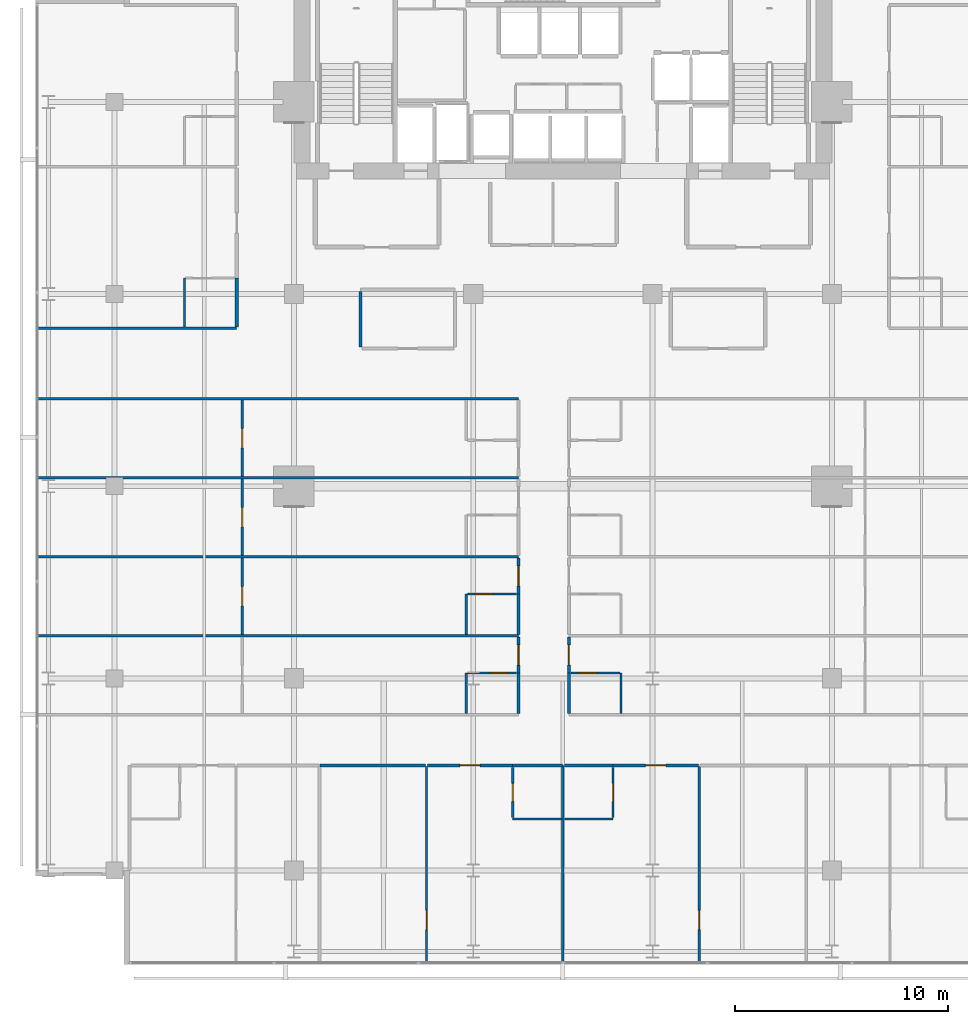
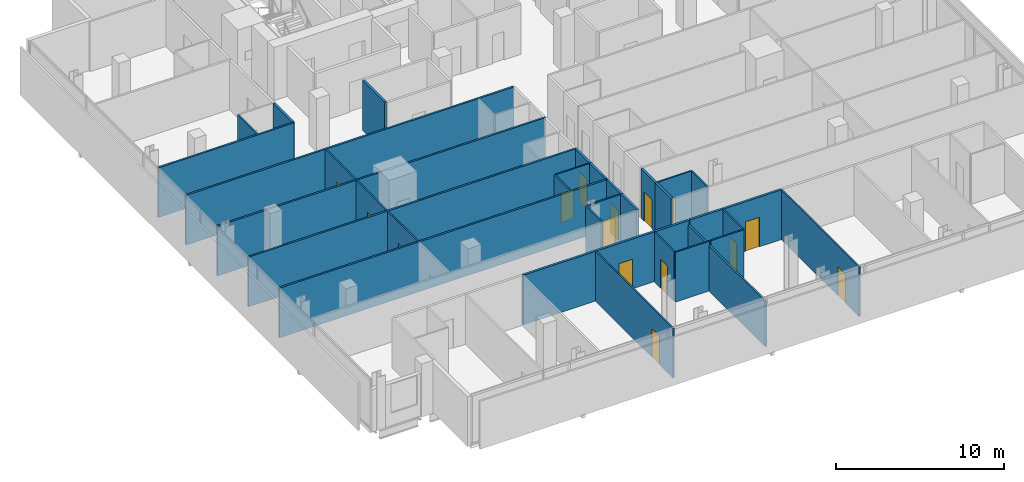
# One storey, part 27 of 34: 35 walls, 15 doors, 15 openings.
"""IFC4 building model written with IfcOpenShell, lengths in metres."""

import ifcopenshell
import ifcopenshell.guid

model = None  # the IFC model being written
_history = None  # IfcOwnerHistory: only IFC2X3 demands one
_inside = {}  # id of a spatial element -> (the spatial element, [elements in it])
_under = {}  # id of a project, library or spatial element -> (it, [spatial elements below it])
_declared = {}  # id of a project -> (the project, [libraries it declares])
_typed = {}  # id of a type object -> (the type object, [elements of that type])
_made_of = {}  # id of a material, layer set ... -> (it, [elements and type objects made of it])


def new_model(schema):
    """Start an empty IFC model of exactly this schema.

    Asked for "IFC4X3", IfcOpenShell would pick the latest addendum, in which some entities
    have other attributes; the version numbers below select the first issue.
    IFC2X3 requires an IfcOwnerHistory on every rooted entity: one is made here for all.
    """
    global model, _history
    if schema == "IFC4X3":
        model = ifcopenshell.file(schema_version=(4, 3, 0, 0))
    else:
        model = ifcopenshell.file(schema=schema)
    _inside.clear()
    _under.clear()
    _declared.clear()
    _typed.clear()
    _made_of.clear()
    _history = None
    if model.schema == "IFC2X3":
        org = make("IfcOrganization", Name="unknown")
        user = make(
            "IfcPersonAndOrganization",
            ThePerson=make("IfcPerson", FamilyName="unknown"),
            TheOrganization=org,
        )
        app = make(
            "IfcApplication",
            ApplicationDeveloper=org,
            Version="unknown",
            ApplicationFullName="unknown",
            ApplicationIdentifier="unknown",
        )
        _history = make(
            "IfcOwnerHistory",
            OwningUser=user,
            OwningApplication=app,
            ChangeAction="ADDED",
            CreationDate=0,
        )
    return model


def make(cls, **values):
    """One entity of the class cls with the attributes given. An attribute that is None is left unset."""
    return model.create_entity(
        cls, **{name: value for name, value in values.items() if value is not None}
    )


def rooted(cls, **values):
    """An entity with a GlobalId (a new one), such as an element, a storey or a relation."""
    return make(cls, GlobalId=ifcopenshell.guid.new(), OwnerHistory=_history, **values)


def si_unit(unit_type, name, prefix=None):
    """IfcSIUnit, for example si_unit("LENGTHUNIT", "METRE", prefix="MILLI")."""
    return make("IfcSIUnit", UnitType=unit_type, Prefix=prefix, Name=name)


def assignment(units):
    """IfcUnitAssignment: the units of a project."""
    return None if units is None else make("IfcUnitAssignment", Units=units)


def point(xyz):
    """IfcCartesianPoint."""
    return None if xyz is None else make("IfcCartesianPoint", Coordinates=xyz)


def direction(xyz):
    """IfcDirection."""
    return None if xyz is None else make("IfcDirection", DirectionRatios=xyz)


def frame(location, z_axis=None, x_axis=None):
    """IfcAxis2Placement3D, a coordinate frame: its origin and axes. An axis left out is left unset."""
    return make(
        "IfcAxis2Placement3D",
        Location=point(location),
        Axis=direction(z_axis),
        RefDirection=direction(x_axis),
    )


def frame_2d(location, x_axis=None):
    """IfcAxis2Placement2D, a coordinate frame in the plane: its origin and x axis."""
    return make(
        "IfcAxis2Placement2D", Location=point(location), RefDirection=direction(x_axis)
    )


def origin():
    """The frame at (0, 0, 0) with its axes left unset."""
    return frame((0.0, 0.0, 0.0))


def place(relative_to, where):
    """IfcLocalPlacement: puts the frame where relative to a parent placement (None: the world)."""
    return make(
        "IfcLocalPlacement", PlacementRelTo=relative_to, RelativePlacement=where
    )


def context(
    kind, dimensions, precision=None, world=None, true_north=None, identifier=None
):
    """IfcGeometricRepresentationContext, for example the 3D "Model" context."""
    return make(
        "IfcGeometricRepresentationContext",
        ContextIdentifier=identifier,
        ContextType=kind,
        CoordinateSpaceDimension=dimensions,
        Precision=precision,
        WorldCoordinateSystem=world,
        TrueNorth=true_north,
    )


def subcontext(parent, identifier, kind, view, scale=None):
    """IfcGeometricRepresentationSubContext, for example "Body" below "Model"."""
    return make(
        "IfcGeometricRepresentationSubContext",
        ContextIdentifier=identifier,
        ContextType=kind,
        ParentContext=parent,
        TargetScale=scale,
        TargetView=view,
    )


def project(units=None, contexts=None):
    """IfcProject with its units and contexts."""
    return rooted(
        "IfcProject",
        Name="project",
        RepresentationContexts=contexts,
        UnitsInContext=assignment(units),
    )


def spatial(cls, under=None, at=None, **own):
    """A site, building, storey or space (cls), placed at a placement, below another one or the project."""
    s = rooted(cls, ObjectPlacement=at, **own)
    if under is not None:
        _under.setdefault(under.id(), (under, []))[1].append(s)
    return s


def profile(cls, at=None, kind="AREA", **sizes):
    """A parametric profile (cls). Its sizes go by their IFC names, for example OverallWidth=200.0."""
    return make(cls, ProfileType=kind, Position=at, **sizes)


def rectangle(**sizes):
    """IfcRectangleProfileDef."""
    return profile("IfcRectangleProfileDef", **sizes)


def extrude(swept, where, along, depth):
    """IfcExtrudedAreaSolid: the profile swept, set in the frame where, extruded along a direction by depth."""
    return make(
        "IfcExtrudedAreaSolid",
        SweptArea=swept,
        Position=where,
        ExtrudedDirection=direction(along),
        Depth=depth,
    )


def shape(context_of_items, identifier, shape_type, items):
    """IfcShapeRepresentation: the items that make up one representation, for example the "Body"."""
    return make(
        "IfcShapeRepresentation",
        ContextOfItems=context_of_items,
        RepresentationIdentifier=identifier,
        RepresentationType=shape_type,
        Items=items,
    )


def material(Name=None, Category=None):
    """IfcMaterial."""
    return make("IfcMaterial", Name=Name, Category=Category)


def layer(
    of_material, thickness, ventilated=None, Name=None, Category=None, Priority=None
):
    """IfcMaterialLayer: one layer of a wall or slab, of a material (None: an air gap)."""
    return make(
        "IfcMaterialLayer",
        Material=of_material,
        LayerThickness=thickness,
        IsVentilated=ventilated,
        Name=Name,
        Category=Category,
        Priority=Priority,
    )


def layer_set(layers, Name=None):
    """IfcMaterialLayerSet."""
    return make("IfcMaterialLayerSet", MaterialLayers=layers, LayerSetName=Name)


def made_of(thing, what):
    """Note that an element or type object is made of a material, layer set ...; save() writes the relation."""
    if what is not None:
        _made_of.setdefault(what.id(), (what, []))[1].append(thing)
    return thing


def type_object(cls, material=None, **own):
    """A type object (cls), such as IfcWallType, which elements share."""
    return made_of(rooted(cls, **own), material)


def element(
    cls,
    number,
    at=None,
    inside=None,
    cuts=None,
    type_object=None,
    material=None,
    context=None,
    identifier="Body",
    shape_type=None,
    held_by="IfcProductDefinitionShape",
    body=None,
    shapes=None,
    **own,
):
    """One element of the class cls, such as IfcWall. Its Tag is "e" and its number.

    at: its placement. inside: the storey or other place that contains it. cuts: it is an
    opening in that element (IfcRelVoidsElement). A single representation is given by context,
    identifier, shape_type and body (its items); several are given by shapes. held_by: the class
    of the entity that holds the representations. save() writes the other relations.
    """
    e = rooted(cls, Tag="e%d" % number, ObjectPlacement=at, **own)
    if body is not None:
        shapes = [shape(context, identifier, shape_type, body)]
    if shapes is not None:
        e.Representation = make(held_by, Representations=shapes)
    if inside is not None:
        _inside.setdefault(inside.id(), (inside, []))[1].append(e)
    if cuts is not None:
        rooted(
            "IfcRelVoidsElement", RelatingBuildingElement=cuts, RelatedOpeningElement=e
        )
    if type_object is not None:
        _typed.setdefault(type_object.id(), (type_object, []))[1].append(e)
    return made_of(e, material)


def fill(opening, filler):
    """IfcRelFillsElement: the door or window that sits in an opening."""
    return rooted(
        "IfcRelFillsElement",
        RelatingOpeningElement=opening,
        RelatedBuildingElement=filler,
    )


def aggregate(whole, parts):
    """IfcRelAggregates: a whole, such as a stair, and the parts it consists of."""
    return rooted("IfcRelAggregates", RelatingObject=whole, RelatedObjects=parts)


def save(model, path):
    """Write the relations noted so far, then the file.

    IfcRelAggregates (storeys below a building ...), IfcRelContainedInSpatialStructure (elements
    in a storey), IfcRelDefinesByType, IfcRelAssociatesMaterial and IfcRelDeclares: one each for
    every whole, place, type object, material and project.
    """
    for whole, parts in _under.values():
        aggregate(whole, parts)
    for where, things in _inside.values():
        rooted(
            "IfcRelContainedInSpatialStructure",
            RelatedElements=things,
            RelatingStructure=where,
        )
    for kind, things in _typed.values():
        rooted("IfcRelDefinesByType", RelatedObjects=things, RelatingType=kind)
    for what, things in _made_of.values():
        rooted("IfcRelAssociatesMaterial", RelatedObjects=things, RelatingMaterial=what)
    for by, libraries in _declared.values():
        rooted("IfcRelDeclares", RelatingContext=by, RelatedDefinitions=libraries)
    model.write(path)


model = new_model("IFC4")

# Units and contexts
model_context = context("Model", 3, precision=1e-05, world=origin(), true_north=direction((0.0, 1.0)))
body_context = subcontext(model_context, "Body", "Model", "MODEL_VIEW")
ifc_project = project(units=[si_unit("LENGTHUNIT", "METRE"), si_unit("AREAUNIT", "SQUARE_METRE"), si_unit("VOLUMEUNIT", "CUBIC_METRE"), si_unit("PLANEANGLEUNIT", "RADIAN"), si_unit("MASSUNIT", "GRAM", prefix="KILO")], contexts=[model_context])

# Site, building, storey
site_placement = place(None, origin())
site = spatial("IfcSite", under=ifc_project, at=site_placement, CompositionType="ELEMENT")
building_placement = place(site_placement, origin())
building = spatial("IfcBuilding", under=site, at=building_placement, Name="Maruvema Waterfront Hotel and Observation Tower", CompositionType="ELEMENT")
storey_placement = place(building_placement, frame((0.0, 0.0, 192.85009765625)))
storey = spatial("IfcBuildingStorey", under=building, at=storey_placement, Name="L47", CompositionType="ELEMENT", Elevation=192.85009765625)

# Walls
ifc_material_1 = material(Name="Twin-stud acoustic gypsum drywall", Category="gypsum")
ifc_layer_1 = layer(ifc_material_1, 0.14990234375, Name="Acoustic Corridor and Suite Demising Wall 150 mm")
ifc_layer_set_1 = layer_set([ifc_layer_1], Name="Twin-stud acoustic gypsum drywall")
wall_type_1 = type_object("IfcWallType", Name="Acoustic Corridor and Suite Demising Wall 150 mm", PredefinedType="PARTITIONING", material=ifc_layer_set_1)
wall_1_placement = place(storey_placement, frame((28.320068359375, 33.530029296875, 0.0), z_axis=(0.0, 0.0, 1.0), x_axis=(0.0, 1.0, 0.0)))
element("IfcWall", 1, at=wall_1_placement, inside=storey, type_object=wall_type_1, Name="L47 L47-M1 West Wall 028", PredefinedType="PARTITIONING", context=body_context, shape_type="SweptSolid", body=[
    extrude(rectangle(XDim=2.590087890625, YDim=0.14990234375, at=frame_2d((1.294921875, 0.0))), origin(), (0.0, 0.0, 1.0), 3.60986328125),
])
wall_2_placement = place(storey_placement, frame((35.449951171875, 13.919921875, 0.0), z_axis=(0.0, 0.0, 1.0), x_axis=(1.0, 0.0, 0.0)))
element("IfcWall", 2, at=wall_2_placement, inside=storey, type_object=wall_type_1, Name="L47 Bath L47-S2 Back Wall 044", PredefinedType="PARTITIONING", context=body_context, shape_type="SweptSolid", body=[
    extrude(rectangle(XDim=2.330078125, YDim=0.14990234375, at=frame_2d((1.1650390625, 0.0))), origin(), (0.0, 0.0, 1.0), 3.60986328125),
])
wall_3_placement = place(storey_placement, frame((26.419921875, 13.919921875, 0.0), z_axis=(0.0, 0.0, 1.0), x_axis=(1.0, 0.0, 0.0)))
element("IfcWall", 3, at=wall_3_placement, inside=storey, type_object=wall_type_1, Name="L47 Bedroom L47-S2 Back Wall 047", PredefinedType="PARTITIONING", context=body_context, shape_type="SweptSolid", body=[
    extrude(rectangle(XDim=4.9560546875, YDim=0.14990234375, at=frame_2d((2.47802734375, 0.0))), origin(), (0.0, 0.0, 1.0), 3.60986328125),
])

# Wall, opening, door
wall_4_placement = place(storey_placement, frame((31.4560546875, 13.919921875, 0.0), z_axis=(0.0, 0.0, 1.0), x_axis=(1.0, 0.0, 0.0)))
wall_4 = element("IfcWall", 4, at=wall_4_placement, inside=storey, type_object=wall_type_1, Name="L47 Unit L47-S2 Corridor Wall 048", PredefinedType="PARTITIONING", context=body_context, shape_type="SweptSolid", body=[
    extrude(rectangle(XDim=3.993896484375, YDim=0.14990234375, at=frame_2d((1.9970703125, 0.0))), origin(), (0.0, 0.0, 1.0), 3.60986328125),
])
opening_1_placement = place(wall_4_placement, frame((1.52197265625, 0.0, 0.0)))
opening_1 = element("IfcOpeningElement", 5, at=opening_1_placement, cuts=wall_4, Name="Opening DR-095", PredefinedType="OPENING", context=body_context, shape_type="SweptSolid", body=[
    extrude(rectangle(XDim=0.949951171875, YDim=2.14990234375, at=frame_2d((0.47509765625, 1.074951171875))), frame((0.0, 0.0849609375, 0.0), z_axis=(0.0, -1.0, 0.0), x_axis=(1.0, 0.0, 0.0)), (0.0, 0.0, 1.0), 0.169921875),
])
ifc_material_2 = material(Name="Acoustic solid-core hardwood timber leaf", Category="wood")
door_type_1 = type_object("IfcDoorType", Name="Guestroom Entrance Fire Door 950x2150 mm", OperationType="NOTDEFINED", PredefinedType="DOOR", material=ifc_material_2)
door_1_placement = place(opening_1_placement, frame((0.949951171875, 0.0, 0.0), z_axis=(0.0, 0.0, 1.0), x_axis=(-1.0, 0.0, 0.0)))
door_1 = element("IfcDoor", 6, at=door_1_placement, inside=storey, type_object=door_type_1, Name="L47 Unit L47-S2 Entrance Door", OperationType="SINGLE_SWING_LEFT", OverallHeight=2.14990234375, OverallWidth=0.949951171875, PredefinedType="DOOR", context=body_context, shape_type="SweptSolid", body=[
    extrude(rectangle(XDim=0.949951171875, YDim=2.14990234375, at=frame_2d((0.47509765625, 1.074951171875))), frame((0.0, 0.02490234375, 0.0), z_axis=(0.0, -1.0, 0.0), x_axis=(1.0, 0.0, 0.0)), (0.0, 0.0, 1.0), 0.050048828125),
])
fill(opening_1, door_1)

# Wall
wall_5_placement = place(storey_placement, frame((37.8798828125, 13.919921875, 0.0), z_axis=(0.0, 0.0, 1.0), x_axis=(1.0, 0.0, 0.0)))
element("IfcWall", 7, at=wall_5_placement, inside=storey, type_object=wall_type_1, Name="L47 Bath L47-S3 Back Wall 051", PredefinedType="PARTITIONING", context=body_context, shape_type="SweptSolid", body=[
    extrude(rectangle(XDim=2.27001953125, YDim=0.14990234375, at=frame_2d((1.135009765625, 0.0))), origin(), (0.0, 0.0, 1.0), 3.60986328125),
])

# Wall, opening, door
wall_6_placement = place(storey_placement, frame((40.14990234375, 13.919921875, 0.0), z_axis=(0.0, 0.0, 1.0), x_axis=(1.0, 0.0, 0.0)))
wall_6 = element("IfcWall", 8, at=wall_6_placement, inside=storey, type_object=wall_type_1, Name="L47 Unit L47-S3 Corridor Wall 054", PredefinedType="PARTITIONING", context=body_context, shape_type="SweptSolid", body=[
    extrude(rectangle(XDim=3.994140625, YDim=0.14990234375, at=frame_2d((1.9970703125, 0.0))), origin(), (0.0, 0.0, 1.0), 3.60986328125),
])
opening_2_placement = place(wall_6_placement, frame((1.52197265625, 0.0, 0.0)))
opening_2 = element("IfcOpeningElement", 9, at=opening_2_placement, cuts=wall_6, Name="Opening DR-095", PredefinedType="OPENING", context=body_context, shape_type="SweptSolid", body=[
    extrude(rectangle(XDim=0.949951171875, YDim=2.14990234375, at=frame_2d((0.47509765625, 1.074951171875))), frame((0.0, 0.0849609375, 0.0), z_axis=(0.0, -1.0, 0.0), x_axis=(1.0, 0.0, 0.0)), (0.0, 0.0, 1.0), 0.169921875),
])
door_2_placement = place(opening_2_placement, frame((0.949951171875, 0.0, 0.0), z_axis=(0.0, 0.0, 1.0), x_axis=(-1.0, 0.0, 0.0)))
door_2 = element("IfcDoor", 10, at=door_2_placement, inside=storey, type_object=door_type_1, Name="L47 Unit L47-S3 Entrance Door", OperationType="SINGLE_SWING_RIGHT", OverallHeight=2.14990234375, OverallWidth=0.949951171875, PredefinedType="DOOR", context=body_context, shape_type="SweptSolid", body=[
    extrude(rectangle(XDim=0.949951171875, YDim=2.14990234375, at=frame_2d((0.47509765625, 1.074951171875))), frame((0.0, 0.02490234375, 0.0), z_axis=(0.0, -1.0, 0.0), x_axis=(1.0, 0.0, 0.0)), (0.0, 0.0, 1.0), 0.050048828125),
])
fill(opening_2, door_2)

# Wall
wall_7_placement = place(storey_placement, frame((35.719970703125, 16.360107421875, 0.0), z_axis=(0.0, 0.0, 1.0), x_axis=(0.0, 1.0, 0.0)))
element("IfcWall", 11, at=wall_7_placement, inside=storey, type_object=wall_type_1, Name="L47 Bath L47-W1 Wall 068", PredefinedType="PARTITIONING", context=body_context, shape_type="SweptSolid", body=[
    extrude(rectangle(XDim=1.889892578125, YDim=0.14990234375, at=frame_2d((0.94482421875, 0.0))), origin(), (0.0, 0.0, 1.0), 3.60986328125),
])

# Wall, opening, door
wall_8_placement = place(storey_placement, frame((35.719970703125, 18.25, 0.0), z_axis=(0.0, 0.0, 1.0), x_axis=(0.0, 1.0, 0.0)))
wall_8 = element("IfcWall", 12, at=wall_8_placement, inside=storey, type_object=wall_type_1, Name="L47 Room L47-W1 Corridor Wall 069", PredefinedType="PARTITIONING", context=body_context, shape_type="SweptSolid", body=[
    extrude(rectangle(XDim=1.68994140625, YDim=0.14990234375, at=frame_2d((0.844970703125, 0.0))), origin(), (0.0, 0.0, 1.0), 3.60986328125),
])
opening_3_placement = place(wall_8_placement, frame((0.3701171875, 0.0, 0.0)))
opening_3 = element("IfcOpeningElement", 13, at=opening_3_placement, cuts=wall_8, Name="Opening DR-095", PredefinedType="OPENING", context=body_context, shape_type="SweptSolid", body=[
    extrude(rectangle(XDim=0.949951171875, YDim=2.14990234375, at=frame_2d((0.47509765625, 1.074951171875))), frame((0.0, 0.0849609375, 0.0), z_axis=(0.0, -1.0, 0.0), x_axis=(1.0, 0.0, 0.0)), (0.0, 0.0, 1.0), 0.169921875),
])
door_3_placement = place(opening_3_placement, origin())
door_3 = element("IfcDoor", 14, at=door_3_placement, inside=storey, type_object=door_type_1, Name="L47 Room L47-W1 Entrance Door", OperationType="SINGLE_SWING_RIGHT", OverallHeight=2.14990234375, OverallWidth=0.949951171875, PredefinedType="DOOR", context=body_context, shape_type="SweptSolid", body=[
    extrude(rectangle(XDim=0.949951171875, YDim=2.14990234375, at=frame_2d((0.47509765625, 1.074951171875))), frame((0.0, 0.02490234375, 0.0), z_axis=(0.0, -1.0, 0.0), x_axis=(1.0, 0.0, 0.0)), (0.0, 0.0, 1.0), 0.050048828125),
])
fill(opening_3, door_3)

# Wall
wall_9_placement = place(storey_placement, frame((38.080078125, 16.360107421875, 0.0), z_axis=(0.0, 0.0, 1.0), x_axis=(0.0, 1.0, 0.0)))
element("IfcWall", 15, at=wall_9_placement, inside=storey, type_object=wall_type_1, Name="L47 Bath L47-E1 Wall 073", PredefinedType="PARTITIONING", context=body_context, shape_type="SweptSolid", body=[
    extrude(rectangle(XDim=1.889892578125, YDim=0.14990234375, at=frame_2d((0.94482421875, 0.0))), origin(), (0.0, 0.0, 1.0), 3.60986328125),
])

# Wall, opening, door
wall_10_placement = place(storey_placement, frame((38.080078125, 18.25, 0.0), z_axis=(0.0, 0.0, 1.0), x_axis=(0.0, 1.0, 0.0)))
wall_10 = element("IfcWall", 16, at=wall_10_placement, inside=storey, type_object=wall_type_1, Name="L47 Room L47-E1 Corridor Wall 074", PredefinedType="PARTITIONING", context=body_context, shape_type="SweptSolid", body=[
    extrude(rectangle(XDim=1.68994140625, YDim=0.14990234375, at=frame_2d((0.844970703125, 0.0))), origin(), (0.0, 0.0, 1.0), 3.60986328125),
])
opening_4_placement = place(wall_10_placement, frame((0.3701171875, 0.0, 0.0)))
opening_4 = element("IfcOpeningElement", 17, at=opening_4_placement, cuts=wall_10, Name="Opening DR-095", PredefinedType="OPENING", context=body_context, shape_type="SweptSolid", body=[
    extrude(rectangle(XDim=0.949951171875, YDim=2.14990234375, at=frame_2d((0.47509765625, 1.074951171875))), frame((0.0, 0.0849609375, 0.0), z_axis=(0.0, -1.0, 0.0), x_axis=(1.0, 0.0, 0.0)), (0.0, 0.0, 1.0), 0.169921875),
])
door_4_placement = place(opening_4_placement, frame((0.949951171875, 0.0, 0.0), z_axis=(0.0, 0.0, 1.0), x_axis=(-1.0, 0.0, 0.0)))
door_4 = element("IfcDoor", 18, at=door_4_placement, inside=storey, type_object=door_type_1, Name="L47 Room L47-E1 Entrance Door", OperationType="SINGLE_SWING_LEFT", OverallHeight=2.14990234375, OverallWidth=0.949951171875, PredefinedType="DOOR", context=body_context, shape_type="SweptSolid", body=[
    extrude(rectangle(XDim=0.949951171875, YDim=2.14990234375, at=frame_2d((0.47509765625, 1.074951171875))), frame((0.0, 0.02490234375, 0.0), z_axis=(0.0, -1.0, 0.0), x_axis=(1.0, 0.0, 0.0)), (0.0, 0.0, 1.0), 0.050048828125),
])
fill(opening_4, door_4)

# Wall
wall_11_placement = place(storey_placement, frame((35.719970703125, 20.06005859375, 0.0), z_axis=(0.0, 0.0, 1.0), x_axis=(0.0, 1.0, 0.0)))
element("IfcWall", 19, at=wall_11_placement, inside=storey, type_object=wall_type_1, Name="L47 Bath L47-W2 Wall 080", PredefinedType="PARTITIONING", context=body_context, shape_type="SweptSolid", body=[
    extrude(rectangle(XDim=1.889892578125, YDim=0.14990234375, at=frame_2d((0.94482421875, 0.0))), origin(), (0.0, 0.0, 1.0), 3.60986328125),
])

# Wall, opening, door
wall_12_placement = place(storey_placement, frame((35.719970703125, 21.949951171875, 0.0), z_axis=(0.0, 0.0, 1.0), x_axis=(0.0, 1.0, 0.0)))
wall_12 = element("IfcWall", 20, at=wall_12_placement, inside=storey, type_object=wall_type_1, Name="L47 Room L47-W2 Corridor Wall 081", PredefinedType="PARTITIONING", context=body_context, shape_type="SweptSolid", body=[
    extrude(rectangle(XDim=1.68994140625, YDim=0.14990234375, at=frame_2d((0.844970703125, 0.0))), origin(), (0.0, 0.0, 1.0), 3.60986328125),
])
opening_5_placement = place(wall_12_placement, frame((0.3701171875, 0.0, 0.0)))
opening_5 = element("IfcOpeningElement", 21, at=opening_5_placement, cuts=wall_12, Name="Opening DR-095", PredefinedType="OPENING", context=body_context, shape_type="SweptSolid", body=[
    extrude(rectangle(XDim=0.949951171875, YDim=2.14990234375, at=frame_2d((0.47509765625, 1.074951171875))), frame((0.0, 0.0849609375, 0.0), z_axis=(0.0, -1.0, 0.0), x_axis=(1.0, 0.0, 0.0)), (0.0, 0.0, 1.0), 0.169921875),
])
door_5_placement = place(opening_5_placement, origin())
door_5 = element("IfcDoor", 22, at=door_5_placement, inside=storey, type_object=door_type_1, Name="L47 Room L47-W2 Entrance Door", OperationType="SINGLE_SWING_RIGHT", OverallHeight=2.14990234375, OverallWidth=0.949951171875, PredefinedType="DOOR", context=body_context, shape_type="SweptSolid", body=[
    extrude(rectangle(XDim=0.949951171875, YDim=2.14990234375, at=frame_2d((0.47509765625, 1.074951171875))), frame((0.0, 0.02490234375, 0.0), z_axis=(0.0, -1.0, 0.0), x_axis=(1.0, 0.0, 0.0)), (0.0, 0.0, 1.0), 0.050048828125),
])
fill(opening_5, door_5)

# Walls
wall_13_placement = place(storey_placement, frame((22.52001953125, 34.4599609375, 0.0), z_axis=(0.0, 0.0, 1.0), x_axis=(0.0, 1.0, 0.0)))
element("IfcWall", 23, at=wall_13_placement, inside=storey, type_object=wall_type_1, Name="L47 Bath L47-NW1 Wall 118", PredefinedType="PARTITIONING", context=body_context, shape_type="SweptSolid", body=[
    extrude(rectangle(XDim=2.2900390625, YDim=0.14990234375, at=frame_2d((1.14501953125, 0.0))), origin(), (0.0, 0.0, 1.0), 3.60986328125),
])
ifc_material_3 = material(Name="Moisture-resistant cement-board drywall", Category="gypsum")
ifc_layer_2 = layer(ifc_material_3, 0.10009765625, Name="En-Suite Moisture-Resistant Partition 100 mm")
ifc_layer_set_2 = layer_set([ifc_layer_2], Name="Moisture-resistant cement-board drywall")
wall_type_2 = type_object("IfcWallType", Name="En-Suite Moisture-Resistant Partition 100 mm", PredefinedType="PARTITIONING", material=ifc_layer_set_2)
wall_14_placement = place(storey_placement, frame((35.449951171875, 11.419921875, 0.0), z_axis=(0.0, 0.0, 1.0), x_axis=(1.0, 0.0, 0.0)))
element("IfcWall", 24, at=wall_14_placement, inside=storey, type_object=wall_type_2, Name="L47 En-Suite L47-S2 South 045", PredefinedType="PARTITIONING", context=body_context, shape_type="SweptSolid", body=[
    extrude(rectangle(XDim=2.31005859375, YDim=0.10009765625, at=frame_2d((1.155029296875, 0.0))), origin(), (0.0, 0.0, 1.0), 3.60986328125),
])

# Wall, opening, door
wall_15_placement = place(storey_placement, frame((35.449951171875, 11.47998046875, 0.0), z_axis=(0.0, 0.0, 1.0), x_axis=(0.0, 1.0, 0.0)))
wall_15 = element("IfcWall", 25, at=wall_15_placement, inside=storey, type_object=wall_type_2, Name="L47 En-Suite L47-S2 West 046", PredefinedType="PARTITIONING", context=body_context, shape_type="SweptSolid", body=[
    extrude(rectangle(XDim=2.340087890625, YDim=0.10009765625, at=frame_2d((1.169921875, 0.0))), origin(), (0.0, 0.0, 1.0), 3.60986328125),
])
opening_6_placement = place(wall_15_placement, frame((0.7451171875, 0.0, 0.0)))
opening_6 = element("IfcOpeningElement", 26, at=opening_6_placement, cuts=wall_15, Name="Opening DR-085", PredefinedType="OPENING", context=body_context, shape_type="SweptSolid", body=[
    extrude(rectangle(XDim=0.85009765625, YDim=2.10009765625, at=frame_2d((0.425048828125, 1.050048828125))), frame((0.0, 0.06005859375, 0.0), z_axis=(0.0, -1.0, 0.0), x_axis=(1.0, 0.0, 0.0)), (0.0, 0.0, 1.0), 0.1201171875),
])
ifc_material_4 = material(Name="Moisture-resistant solid timber leaf", Category="wood")
door_type_2 = type_object("IfcDoorType", Name="En-Suite Bathroom Door 850x2100 mm", OperationType="NOTDEFINED", PredefinedType="DOOR", material=ifc_material_4)
door_6_placement = place(opening_6_placement, origin())
door_6 = element("IfcDoor", 27, at=door_6_placement, inside=storey, type_object=door_type_2, Name="L47 En-Suite L47-S2 Door", OperationType="SINGLE_SWING_RIGHT", OverallHeight=2.10009765625, OverallWidth=0.85009765625, PredefinedType="DOOR", context=body_context, shape_type="SweptSolid", body=[
    extrude(rectangle(XDim=0.85009765625, YDim=2.10009765625, at=frame_2d((0.425048828125, 1.050048828125))), frame((0.0, 0.02490234375, 0.0), z_axis=(0.0, -1.0, 0.0), x_axis=(1.0, 0.0, 0.0)), (0.0, 0.0, 1.0), 0.050048828125),
])
fill(opening_6, door_6)

wall_16_placement = place(storey_placement, frame((31.416015625, 4.6298828125, 0.0), z_axis=(0.0, 0.0, 1.0), x_axis=(0.0, 1.0, 0.0)))
wall_16 = element("IfcWall", 28, at=wall_16_placement, inside=storey, type_object=wall_type_2, Name="L47 Suite L47-S2 Split 049", PredefinedType="PARTITIONING", context=body_context, shape_type="SweptSolid", body=[
    extrude(rectangle(XDim=9.230224609375, YDim=0.10009765625, at=frame_2d((4.615234375, 0.0))), origin(), (0.0, 0.0, 1.0), 3.60986328125),
])
opening_7_placement = place(wall_16_placement, frame((1.60009765625, 0.0, 0.0)))
opening_7 = element("IfcOpeningElement", 29, at=opening_7_placement, cuts=wall_16, Name="Opening DR-090", PredefinedType="OPENING", context=body_context, shape_type="SweptSolid", body=[
    extrude(rectangle(XDim=0.89990234375, YDim=2.10009765625, at=frame_2d((0.449951171875, 1.050048828125))), frame((0.0, 0.06005859375, 0.0), z_axis=(0.0, -1.0, 0.0), x_axis=(1.0, 0.0, 0.0)), (0.0, 0.0, 1.0), 0.1201171875),
])
ifc_material_5 = material(Name="Solid-core lacquered timber leaf", Category="wood")
door_type_3 = type_object("IfcDoorType", Name="Accessible Toilet and Room Door 900x2100 mm", OperationType="NOTDEFINED", PredefinedType="DOOR", material=ifc_material_5)
door_7_placement = place(opening_7_placement, frame((0.89990234375, 0.0, 0.0), z_axis=(0.0, 0.0, 1.0), x_axis=(-1.0, 0.0, 0.0)))
door_7 = element("IfcDoor", 30, at=door_7_placement, inside=storey, type_object=door_type_3, Name="L47 Suite L47-S2 Bedroom Door", OperationType="SINGLE_SWING_RIGHT", OverallHeight=2.10009765625, OverallWidth=0.89990234375, PredefinedType="DOOR", context=body_context, shape_type="SweptSolid", body=[
    extrude(rectangle(XDim=0.89990234375, YDim=2.10009765625, at=frame_2d((0.449951171875, 1.050048828125))), frame((0.0, 0.02490234375, 0.0), z_axis=(0.0, -1.0, 0.0), x_axis=(1.0, 0.0, 0.0)), (0.0, 0.0, 1.0), 0.050048828125),
])
fill(opening_7, door_7)

# Wall
wall_17_placement = place(storey_placement, frame((37.8798828125, 11.419921875, 0.0), z_axis=(0.0, 0.0, 1.0), x_axis=(1.0, 0.0, 0.0)))
element("IfcWall", 31, at=wall_17_placement, inside=storey, type_object=wall_type_2, Name="L47 En-Suite L47-S3 South 052", PredefinedType="PARTITIONING", context=body_context, shape_type="SweptSolid", body=[
    extrude(rectangle(XDim=2.27001953125, YDim=0.10009765625, at=frame_2d((1.135009765625, 0.0))), origin(), (0.0, 0.0, 1.0), 3.60986328125),
])

# Wall, opening, door
wall_18_placement = place(storey_placement, frame((40.14990234375, 11.47998046875, 0.0), z_axis=(0.0, 0.0, 1.0), x_axis=(0.0, 1.0, 0.0)))
wall_18 = element("IfcWall", 32, at=wall_18_placement, inside=storey, type_object=wall_type_2, Name="L47 En-Suite L47-S3 East 053", PredefinedType="PARTITIONING", context=body_context, shape_type="SweptSolid", body=[
    extrude(rectangle(XDim=2.340087890625, YDim=0.10009765625, at=frame_2d((1.169921875, 0.0))), origin(), (0.0, 0.0, 1.0), 3.60986328125),
])
opening_8_placement = place(wall_18_placement, frame((0.7451171875, 0.0, 0.0)))
opening_8 = element("IfcOpeningElement", 33, at=opening_8_placement, cuts=wall_18, Name="Opening DR-085", PredefinedType="OPENING", context=body_context, shape_type="SweptSolid", body=[
    extrude(rectangle(XDim=0.85009765625, YDim=2.10009765625, at=frame_2d((0.425048828125, 1.050048828125))), frame((0.0, 0.06005859375, 0.0), z_axis=(0.0, -1.0, 0.0), x_axis=(1.0, 0.0, 0.0)), (0.0, 0.0, 1.0), 0.1201171875),
])
door_8_placement = place(opening_8_placement, frame((0.85009765625, 0.0, 0.0), z_axis=(0.0, 0.0, 1.0), x_axis=(-1.0, 0.0, 0.0)))
door_8 = element("IfcDoor", 34, at=door_8_placement, inside=storey, type_object=door_type_2, Name="L47 En-Suite L47-S3 Door", OperationType="SINGLE_SWING_LEFT", OverallHeight=2.10009765625, OverallWidth=0.85009765625, PredefinedType="DOOR", context=body_context, shape_type="SweptSolid", body=[
    extrude(rectangle(XDim=0.85009765625, YDim=2.10009765625, at=frame_2d((0.425048828125, 1.050048828125))), frame((0.0, 0.02490234375, 0.0), z_axis=(0.0, -1.0, 0.0), x_axis=(1.0, 0.0, 0.0)), (0.0, 0.0, 1.0), 0.050048828125),
])
fill(opening_8, door_8)

wall_19_placement = place(storey_placement, frame((44.18408203125, 4.6298828125, 0.0), z_axis=(0.0, 0.0, 1.0), x_axis=(0.0, 1.0, 0.0)))
wall_19 = element("IfcWall", 35, at=wall_19_placement, inside=storey, type_object=wall_type_2, Name="L47 Suite L47-S3 Split 056", PredefinedType="PARTITIONING", context=body_context, shape_type="SweptSolid", body=[
    extrude(rectangle(XDim=9.230224609375, YDim=0.10009765625, at=frame_2d((4.615234375, 0.0))), origin(), (0.0, 0.0, 1.0), 3.60986328125),
])
opening_9_placement = place(wall_19_placement, frame((1.60009765625, 0.0, 0.0)))
opening_9 = element("IfcOpeningElement", 36, at=opening_9_placement, cuts=wall_19, Name="Opening DR-090", PredefinedType="OPENING", context=body_context, shape_type="SweptSolid", body=[
    extrude(rectangle(XDim=0.89990234375, YDim=2.10009765625, at=frame_2d((0.449951171875, 1.050048828125))), frame((0.0, 0.06005859375, 0.0), z_axis=(0.0, -1.0, 0.0), x_axis=(1.0, 0.0, 0.0)), (0.0, 0.0, 1.0), 0.1201171875),
])
door_9_placement = place(opening_9_placement, origin())
door_9 = element("IfcDoor", 37, at=door_9_placement, inside=storey, type_object=door_type_3, Name="L47 Suite L47-S3 Bedroom Door", OperationType="SINGLE_SWING_LEFT", OverallHeight=2.10009765625, OverallWidth=0.89990234375, PredefinedType="DOOR", context=body_context, shape_type="SweptSolid", body=[
    extrude(rectangle(XDim=0.89990234375, YDim=2.10009765625, at=frame_2d((0.449951171875, 1.050048828125))), frame((0.0, 0.02490234375, 0.0), z_axis=(0.0, -1.0, 0.0), x_axis=(1.0, 0.0, 0.0)), (0.0, 0.0, 1.0), 0.050048828125),
])
fill(opening_9, door_9)

# Wall
wall_20_placement = place(storey_placement, frame((33.27001953125, 16.360107421875, 0.0), z_axis=(0.0, 0.0, 1.0), x_axis=(0.0, 1.0, 0.0)))
element("IfcWall", 38, at=wall_20_placement, inside=storey, type_object=wall_type_2, Name="L47 En-Suite L47-W1 W 070", PredefinedType="PARTITIONING", context=body_context, shape_type="SweptSolid", body=[
    extrude(rectangle(XDim=1.889892578125, YDim=0.10009765625, at=frame_2d((0.94482421875, 0.0))), origin(), (0.0, 0.0, 1.0), 3.60986328125),
])

# Wall, opening, door
wall_21_placement = place(storey_placement, frame((33.320068359375, 18.25, 0.0), z_axis=(0.0, 0.0, 1.0), x_axis=(1.0, 0.0, 0.0)))
wall_21 = element("IfcWall", 39, at=wall_21_placement, inside=storey, type_object=wall_type_2, Name="L47 En-Suite L47-W1 N 071", PredefinedType="PARTITIONING", context=body_context, shape_type="SweptSolid", body=[
    extrude(rectangle(XDim=2.300048828125, YDim=0.10009765625, at=frame_2d((1.14990234375, 0.0))), origin(), (0.0, 0.0, 1.0), 3.60986328125),
])
opening_10_placement = place(wall_21_placement, frame((1.070068359375, 0.0, 0.0)))
opening_10 = element("IfcOpeningElement", 40, at=opening_10_placement, cuts=wall_21, Name="Opening DR-085", PredefinedType="OPENING", context=body_context, shape_type="SweptSolid", body=[
    extrude(rectangle(XDim=0.85009765625, YDim=2.10009765625, at=frame_2d((0.425048828125, 1.050048828125))), frame((0.0, 0.06005859375, 0.0), z_axis=(0.0, -1.0, 0.0), x_axis=(1.0, 0.0, 0.0)), (0.0, 0.0, 1.0), 0.1201171875),
])
door_10_placement = place(opening_10_placement, origin())
door_10 = element("IfcDoor", 41, at=door_10_placement, inside=storey, type_object=door_type_2, Name="L47 En-Suite L47-W1 Door", OperationType="SINGLE_SWING_LEFT", OverallHeight=2.10009765625, OverallWidth=0.85009765625, PredefinedType="DOOR", context=body_context, shape_type="SweptSolid", body=[
    extrude(rectangle(XDim=0.85009765625, YDim=2.10009765625, at=frame_2d((0.425048828125, 1.050048828125))), frame((0.0, 0.02490234375, 0.0), z_axis=(0.0, -1.0, 0.0), x_axis=(1.0, 0.0, 0.0)), (0.0, 0.0, 1.0), 0.050048828125),
])
fill(opening_10, door_10)

# Wall
wall_22_placement = place(storey_placement, frame((40.530029296875, 16.360107421875, 0.0), z_axis=(0.0, 0.0, 1.0), x_axis=(0.0, 1.0, 0.0)))
element("IfcWall", 42, at=wall_22_placement, inside=storey, type_object=wall_type_2, Name="L47 En-Suite L47-E1 E 075", PredefinedType="PARTITIONING", context=body_context, shape_type="SweptSolid", body=[
    extrude(rectangle(XDim=1.889892578125, YDim=0.10009765625, at=frame_2d((0.94482421875, 0.0))), origin(), (0.0, 0.0, 1.0), 3.60986328125),
])

# Wall, opening, door
wall_23_placement = place(storey_placement, frame((38.179931640625, 18.25, 0.0), z_axis=(0.0, 0.0, 1.0), x_axis=(1.0, 0.0, 0.0)))
wall_23 = element("IfcWall", 43, at=wall_23_placement, inside=storey, type_object=wall_type_2, Name="L47 En-Suite L47-E1 N 076", PredefinedType="PARTITIONING", context=body_context, shape_type="SweptSolid", body=[
    extrude(rectangle(XDim=2.300048828125, YDim=0.10009765625, at=frame_2d((1.14990234375, 0.0))), origin(), (0.0, 0.0, 1.0), 3.60986328125),
])
opening_11_placement = place(wall_23_placement, frame((0.35009765625, 0.0, 0.0)))
opening_11 = element("IfcOpeningElement", 44, at=opening_11_placement, cuts=wall_23, Name="Opening DR-085", PredefinedType="OPENING", context=body_context, shape_type="SweptSolid", body=[
    extrude(rectangle(XDim=0.85009765625, YDim=2.10009765625, at=frame_2d((0.425048828125, 1.050048828125))), frame((0.0, 0.06005859375, 0.0), z_axis=(0.0, -1.0, 0.0), x_axis=(1.0, 0.0, 0.0)), (0.0, 0.0, 1.0), 0.1201171875),
])
door_11_placement = place(opening_11_placement, origin())
door_11 = element("IfcDoor", 45, at=door_11_placement, inside=storey, type_object=door_type_2, Name="L47 En-Suite L47-E1 Door", OperationType="SINGLE_SWING_RIGHT", OverallHeight=2.10009765625, OverallWidth=0.85009765625, PredefinedType="DOOR", context=body_context, shape_type="SweptSolid", body=[
    extrude(rectangle(XDim=0.85009765625, YDim=2.10009765625, at=frame_2d((0.425048828125, 1.050048828125))), frame((0.0, 0.02490234375, 0.0), z_axis=(0.0, -1.0, 0.0), x_axis=(1.0, 0.0, 0.0)), (0.0, 0.0, 1.0), 0.050048828125),
])
fill(opening_11, door_11)

# Wall
wall_24_placement = place(storey_placement, frame((33.27001953125, 20.06005859375, 0.0), z_axis=(0.0, 0.0, 1.0), x_axis=(0.0, 1.0, 0.0)))
element("IfcWall", 46, at=wall_24_placement, inside=storey, type_object=wall_type_2, Name="L47 En-Suite L47-W2 W 082", PredefinedType="PARTITIONING", context=body_context, shape_type="SweptSolid", body=[
    extrude(rectangle(XDim=1.889892578125, YDim=0.10009765625, at=frame_2d((0.94482421875, 0.0))), origin(), (0.0, 0.0, 1.0), 3.60986328125),
])

# Wall, opening, door
wall_25_placement = place(storey_placement, frame((33.320068359375, 21.949951171875, 0.0), z_axis=(0.0, 0.0, 1.0), x_axis=(1.0, 0.0, 0.0)))
wall_25 = element("IfcWall", 47, at=wall_25_placement, inside=storey, type_object=wall_type_2, Name="L47 En-Suite L47-W2 N 083", PredefinedType="PARTITIONING", context=body_context, shape_type="SweptSolid", body=[
    extrude(rectangle(XDim=2.300048828125, YDim=0.10009765625, at=frame_2d((1.14990234375, 0.0))), origin(), (0.0, 0.0, 1.0), 3.60986328125),
])
opening_12_placement = place(wall_25_placement, frame((0.35009765625, 0.0, 0.0)))
opening_12 = element("IfcOpeningElement", 48, at=opening_12_placement, cuts=wall_25, Name="Opening DR-085", PredefinedType="OPENING", context=body_context, shape_type="SweptSolid", body=[
    extrude(rectangle(XDim=0.85009765625, YDim=2.10009765625, at=frame_2d((0.425048828125, 1.050048828125))), frame((0.0, 0.06005859375, 0.0), z_axis=(0.0, -1.0, 0.0), x_axis=(1.0, 0.0, 0.0)), (0.0, 0.0, 1.0), 0.1201171875),
])
door_12_placement = place(opening_12_placement, origin())
door_12 = element("IfcDoor", 49, at=door_12_placement, inside=storey, type_object=door_type_2, Name="L47 En-Suite L47-W2 Door", OperationType="SINGLE_SWING_LEFT", OverallHeight=2.10009765625, OverallWidth=0.85009765625, PredefinedType="DOOR", context=body_context, shape_type="SweptSolid", body=[
    extrude(rectangle(XDim=0.85009765625, YDim=2.10009765625, at=frame_2d((0.425048828125, 1.050048828125))), frame((0.0, 0.02490234375, 0.0), z_axis=(0.0, -1.0, 0.0), x_axis=(1.0, 0.0, 0.0)), (0.0, 0.0, 1.0), 0.050048828125),
])
fill(opening_12, door_12)

wall_26_placement = place(storey_placement, frame((22.781494140625, 20.06005859375, 0.0), z_axis=(0.0, 0.0, 1.0), x_axis=(0.0, 1.0, 0.0)))
wall_26 = element("IfcWall", 50, at=wall_26_placement, inside=storey, type_object=wall_type_2, Name="L47 Suite L47-W2 Split 084", PredefinedType="PARTITIONING", context=body_context, shape_type="SweptSolid", body=[
    extrude(rectangle(XDim=3.579833984375, YDim=0.10009765625, at=frame_2d((1.7900390625, 0.0))), origin(), (0.0, 0.0, 1.0), 3.60986328125),
])
opening_13_placement = place(wall_26_placement, frame((1.340087890625, 0.0, 0.0)))
opening_13 = element("IfcOpeningElement", 51, at=opening_13_placement, cuts=wall_26, Name="Opening DR-090", PredefinedType="OPENING", context=body_context, shape_type="SweptSolid", body=[
    extrude(rectangle(XDim=0.89990234375, YDim=2.10009765625, at=frame_2d((0.449951171875, 1.050048828125))), frame((0.0, 0.06005859375, 0.0), z_axis=(0.0, -1.0, 0.0), x_axis=(1.0, 0.0, 0.0)), (0.0, 0.0, 1.0), 0.1201171875),
])
door_13_placement = place(opening_13_placement, origin())
door_13 = element("IfcDoor", 52, at=door_13_placement, inside=storey, type_object=door_type_3, Name="L47 Suite L47-W2 Bedroom Door", OperationType="SINGLE_SWING_LEFT", OverallHeight=2.10009765625, OverallWidth=0.89990234375, PredefinedType="DOOR", context=body_context, shape_type="SweptSolid", body=[
    extrude(rectangle(XDim=0.89990234375, YDim=2.10009765625, at=frame_2d((0.449951171875, 1.050048828125))), frame((0.0, 0.02490234375, 0.0), z_axis=(0.0, -1.0, 0.0), x_axis=(1.0, 0.0, 0.0)), (0.0, 0.0, 1.0), 0.050048828125),
])
fill(opening_13, door_13)

wall_27_placement = place(storey_placement, frame((22.781494140625, 23.760009765625, 0.0), z_axis=(0.0, 0.0, 1.0), x_axis=(0.0, 1.0, 0.0)))
wall_27 = element("IfcWall", 53, at=wall_27_placement, inside=storey, type_object=wall_type_2, Name="L47 Suite L47-W3 Split 096", PredefinedType="PARTITIONING", context=body_context, shape_type="SweptSolid", body=[
    extrude(rectangle(XDim=3.580078125, YDim=0.10009765625, at=frame_2d((1.7900390625, 0.0))), origin(), (0.0, 0.0, 1.0), 3.60986328125),
])
opening_14_placement = place(wall_27_placement, frame((1.340087890625, 0.0, 0.0)))
opening_14 = element("IfcOpeningElement", 54, at=opening_14_placement, cuts=wall_27, Name="Opening DR-090", PredefinedType="OPENING", context=body_context, shape_type="SweptSolid", body=[
    extrude(rectangle(XDim=0.89990234375, YDim=2.10009765625, at=frame_2d((0.449951171875, 1.050048828125))), frame((0.0, 0.06005859375, 0.0), z_axis=(0.0, -1.0, 0.0), x_axis=(1.0, 0.0, 0.0)), (0.0, 0.0, 1.0), 0.1201171875),
])
door_14_placement = place(opening_14_placement, origin())
door_14 = element("IfcDoor", 55, at=door_14_placement, inside=storey, type_object=door_type_3, Name="L47 Suite L47-W3 Bedroom Door", OperationType="SINGLE_SWING_LEFT", OverallHeight=2.10009765625, OverallWidth=0.89990234375, PredefinedType="DOOR", context=body_context, shape_type="SweptSolid", body=[
    extrude(rectangle(XDim=0.89990234375, YDim=2.10009765625, at=frame_2d((0.449951171875, 1.050048828125))), frame((0.0, 0.02490234375, 0.0), z_axis=(0.0, -1.0, 0.0), x_axis=(1.0, 0.0, 0.0)), (0.0, 0.0, 1.0), 0.050048828125),
])
fill(opening_14, door_14)

wall_28_placement = place(storey_placement, frame((22.781494140625, 27.4599609375, 0.0), z_axis=(0.0, 0.0, 1.0), x_axis=(0.0, 1.0, 0.0)))
wall_28 = element("IfcWall", 56, at=wall_28_placement, inside=storey, type_object=wall_type_2, Name="L47 Suite L47-W4 Split 108", PredefinedType="PARTITIONING", context=body_context, shape_type="SweptSolid", body=[
    extrude(rectangle(XDim=3.580078125, YDim=0.10009765625, at=frame_2d((1.7900390625, 0.0))), origin(), (0.0, 0.0, 1.0), 3.60986328125),
])
opening_15_placement = place(wall_28_placement, frame((1.340087890625, 0.0, 0.0)))
opening_15 = element("IfcOpeningElement", 57, at=opening_15_placement, cuts=wall_28, Name="Opening DR-090", PredefinedType="OPENING", context=body_context, shape_type="SweptSolid", body=[
    extrude(rectangle(XDim=0.89990234375, YDim=2.10009765625, at=frame_2d((0.449951171875, 1.050048828125))), frame((0.0, 0.06005859375, 0.0), z_axis=(0.0, -1.0, 0.0), x_axis=(1.0, 0.0, 0.0)), (0.0, 0.0, 1.0), 0.1201171875),
])
door_15_placement = place(opening_15_placement, origin())
door_15 = element("IfcDoor", 58, at=door_15_placement, inside=storey, type_object=door_type_3, Name="L47 Suite L47-W4 Bedroom Door", OperationType="SINGLE_SWING_LEFT", OverallHeight=2.10009765625, OverallWidth=0.89990234375, PredefinedType="DOOR", context=body_context, shape_type="SweptSolid", body=[
    extrude(rectangle(XDim=0.89990234375, YDim=2.10009765625, at=frame_2d((0.449951171875, 1.050048828125))), frame((0.0, 0.02490234375, 0.0), z_axis=(0.0, -1.0, 0.0), x_axis=(1.0, 0.0, 0.0)), (0.0, 0.0, 1.0), 0.050048828125),
])
fill(opening_15, door_15)

# Walls
wall_29_placement = place(storey_placement, frame((20.070068359375, 34.4599609375, 0.0), z_axis=(0.0, 0.0, 1.0), x_axis=(0.0, 1.0, 0.0)))
element("IfcWall", 59, at=wall_29_placement, inside=storey, type_object=wall_type_2, Name="L47 En-Suite L47-NW1 W 120", PredefinedType="PARTITIONING", context=body_context, shape_type="SweptSolid", body=[
    extrude(rectangle(XDim=2.2900390625, YDim=0.10009765625, at=frame_2d((1.14501953125, 0.0))), origin(), (0.0, 0.0, 1.0), 3.60986328125),
])
ifc_material_6 = material(Name="Acoustic gypsum plasterboard drywall", Category="gypsum")
ifc_layer_3 = layer(ifc_material_6, 0.125, Name="Guestroom Acoustic Demising Wall 125 mm")
ifc_layer_set_3 = layer_set([ifc_layer_3], Name="Acoustic gypsum plasterboard drywall")
wall_type_3 = type_object("IfcWallType", Name="Guestroom Acoustic Demising Wall 125 mm", PredefinedType="PARTITIONING", material=ifc_layer_set_3)
wall_30_placement = place(storey_placement, frame((37.800048828125, 4.699951171875, 0.0), z_axis=(0.0, 0.0, 1.0), x_axis=(0.0, 1.0, 0.0)))
element("IfcWall", 60, at=wall_30_placement, inside=storey, type_object=wall_type_3, Name="L47 Z2 S Demising 3 050", PredefinedType="PARTITIONING", context=body_context, shape_type="SweptSolid", body=[
    extrude(rectangle(XDim=9.219970703125, YDim=0.125, at=frame_2d((4.60986328125, 0.0))), origin(), (0.0, 0.0, 1.0), 3.2998046875),
])
for number, where, z_axis, x_axis, name in (
    (61, (13.199951171875, 31.10009765625, 0.0), (0.0, 0.0, 1.0), (1.0, 0.0, 0.0), "L47 Z2 W Top End 066"),
    (62, (13.199951171875, 20.0, 0.0), (0.0, 0.0, 1.0), (1.0, 0.0, 0.0), "L47 Z2 W Demising 2 078"),
    (63, (13.199951171875, 23.699951171875, 0.0), (0.0, 0.0, 1.0), (1.0, 0.0, 0.0), "L47 Z2 W Demising 3 090"),
    (64, (13.199951171875, 27.39990234375, 0.0), (0.0, 0.0, 1.0), (1.0, 0.0, 0.0), "L47 Z2 W Demising 4 102"),
):
    element("IfcWall", number, at=place(storey_placement, frame(where, z_axis=z_axis, x_axis=x_axis)), inside=storey, type_object=wall_type_3, Name=name, PredefinedType="PARTITIONING", context=body_context, shape_type="SweptSolid", body=[
        extrude(rectangle(XDim=22.52001953125, YDim=0.125, at=frame_2d((11.260009765625, 0.0))), origin(), (0.0, 0.0, 1.0), 3.60986328125),
    ])
wall_31_placement = place(storey_placement, frame((13.199951171875, 34.39990234375, 0.0), z_axis=(0.0, 0.0, 1.0), x_axis=(1.0, 0.0, 0.0)))
element("IfcWall", 65, at=wall_31_placement, inside=storey, type_object=wall_type_3, Name="L47 Z2 NW Bot End 114", PredefinedType="PARTITIONING", context=body_context, shape_type="SweptSolid", body=[
    extrude(rectangle(XDim=9.320068359375, YDim=0.125, at=frame_2d((4.66015625, 0.0))), origin(), (0.0, 0.0, 1.0), 3.60986328125),
])

save(model, "model.ifc")
